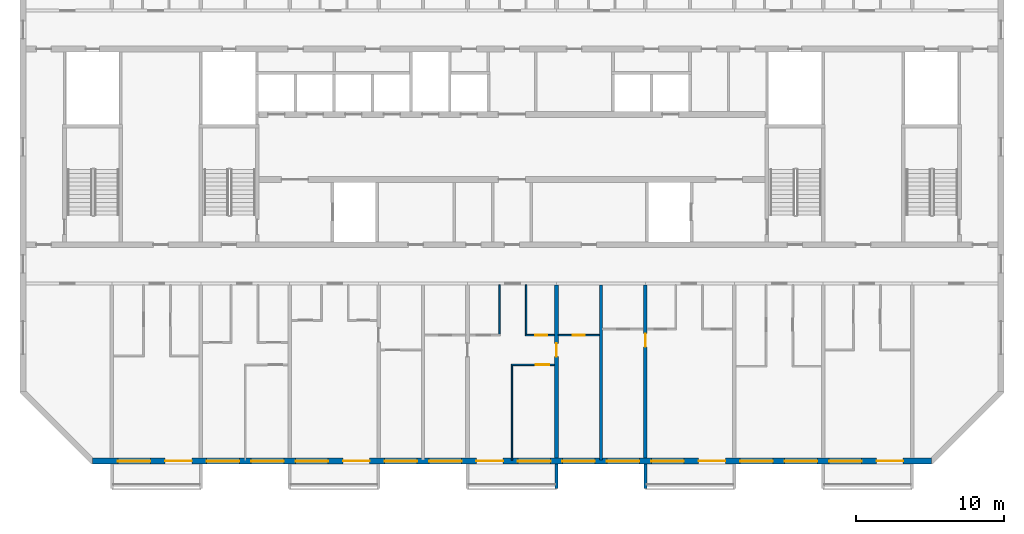
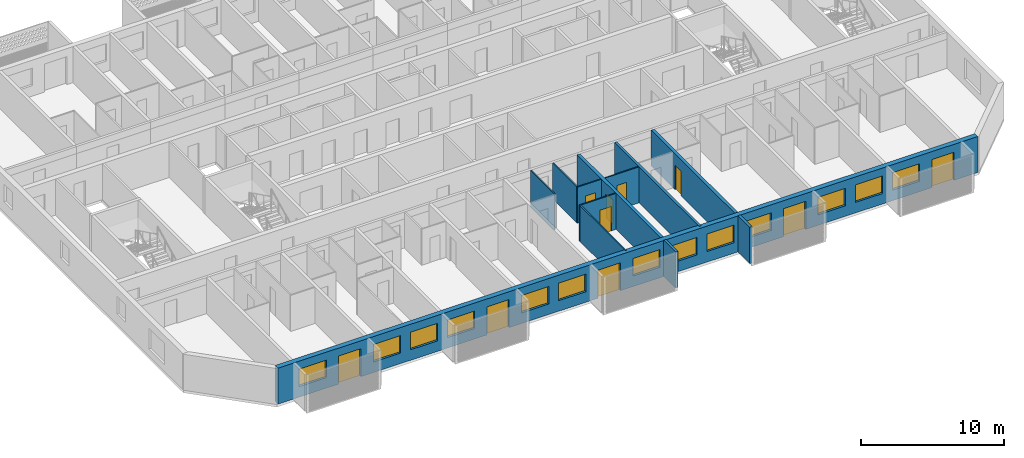
# One storey, part 4 of 26: 13 windows, 12 walls, 10 doors, 23 openings.
"""IFC4 building model written with IfcOpenShell, lengths in metres."""

from ifc_helpers import new_model, si_unit, direction, frame, frame_2d, origin, place, context, subcontext, project, spatial, polyline, rectangle, outline, extrude, source, transform, mapped, material, layer, layer_set, type_object, element, fill, save


model = new_model("IFC4")

# Units and contexts
model_context = context("Model", 3, precision=1e-05, world=origin(), true_north=direction((0.0, 1.0)))
body_context = subcontext(model_context, "Body", "Model", "MODEL_VIEW")
ifc_project = project(units=[si_unit("LENGTHUNIT", "METRE"), si_unit("AREAUNIT", "SQUARE_METRE"), si_unit("VOLUMEUNIT", "CUBIC_METRE"), si_unit("PLANEANGLEUNIT", "RADIAN"), si_unit("MASSUNIT", "GRAM", prefix="KILO")], contexts=[model_context])

# Site, building, storey
site_placement = place(None, origin())
site = spatial("IfcSite", under=ifc_project, at=site_placement, CompositionType="ELEMENT")
building_placement = place(site_placement, origin())
building = spatial("IfcBuilding", under=site, at=building_placement, Name="Poui Terraces", CompositionType="ELEMENT")
storey_placement = place(building_placement, frame((0.0, 0.0, 171.89990234375)))
storey = spatial("IfcBuildingStorey", under=building, at=storey_placement, Name="L47", CompositionType="ELEMENT", Elevation=171.89990234375)

# Wall, opening, door
ifc_material_1 = material(Name="Concrete 50 MPa", Category="concrete")
ifc_layer_1 = layer(ifc_material_1, 0.25)
ifc_layer_set_1 = layer_set([ifc_layer_1], Name="Concrete 50 MPa")
wall_type_1 = type_object("IfcWallType", Name="CROSS WALL 250 50MPa", PredefinedType="SHEAR", material=ifc_layer_set_1)
wall_1_placement = place(storey_placement, frame((54.0, 0.199951171875, 0.0), z_axis=(0.0, 0.0, 1.0), x_axis=(0.0, 1.0, 0.0)))
wall_1 = element("IfcWall", 1, at=wall_1_placement, inside=storey, type_object=wall_type_1, Name="CROSS WALL LINE 10 SOUTH", PredefinedType="SHEAR", context=body_context, shape_type="SweptSolid", body=[
    extrude(rectangle(XDim=11.699951171875, YDim=0.25, at=frame_2d((5.85009765625, 0.0))), origin(), (0.0, 0.0, 1.0), 3.080078125),
])
opening_1_placement = place(wall_1_placement, frame((6.85009765625, 0.0, 0.0)))
opening_1 = element("IfcOpeningElement", 2, at=opening_1_placement, cuts=wall_1, Name="Opening D90", PredefinedType="OPENING", context=body_context, shape_type="SweptSolid", body=[
    extrude(rectangle(XDim=0.89990234375, YDim=2.10009765625, at=frame_2d((0.449951171875, 1.050048828125))), frame((0.0, 0.135009765625, 0.0), z_axis=(0.0, -1.0, 0.0), x_axis=(1.0, 0.0, 0.0)), (0.0, 0.0, 1.0), 0.27001953125),
])
ifc_material_2 = material(Name="Solid core timber door", Category="wood")
door_type_1 = type_object("IfcDoorType", Name="INTERNAL DOOR 900 X 2100", OperationType="NOTDEFINED", PredefinedType="DOOR", material=ifc_material_2)
door_1_placement = place(opening_1_placement, frame((0.89990234375, 0.0, 0.0), z_axis=(0.0, 0.0, 1.0), x_axis=(-1.0, 0.0, 0.0)))
door_1 = element("IfcDoor", 3, at=door_1_placement, inside=storey, type_object=door_type_1, Name="INTERNAL DOOR 082", OperationType="SINGLE_SWING_LEFT", OverallHeight=2.10009765625, OverallWidth=0.89990234375, PredefinedType="DOOR", context=body_context, shape_type="SweptSolid", body=[
    extrude(rectangle(XDim=0.89990234375, YDim=2.10009765625, at=frame_2d((0.449951171875, 1.050048828125))), frame((0.0, 0.02490234375, 0.0), z_axis=(0.0, -1.0, 0.0), x_axis=(1.0, 0.0, 0.0)), (0.0, 0.0, 1.0), 0.050048828125),
])
fill(opening_1, door_1)

wall_2_placement = place(storey_placement, frame((60.0, 0.199951171875, 0.0), z_axis=(0.0, 0.0, 1.0), x_axis=(0.0, 1.0, 0.0)))
wall_2 = element("IfcWall", 4, at=wall_2_placement, inside=storey, type_object=wall_type_1, Name="CROSS WALL LINE 11 SOUTH", PredefinedType="SHEAR", context=body_context, shape_type="SweptSolid", body=[
    extrude(rectangle(XDim=11.699951171875, YDim=0.25, at=frame_2d((5.85009765625, 0.0))), origin(), (0.0, 0.0, 1.0), 3.080078125),
])
opening_2_placement = place(wall_2_placement, frame((7.5, 0.0, 0.0)))
opening_2 = element("IfcOpeningElement", 5, at=opening_2_placement, cuts=wall_2, Name="Opening D90", PredefinedType="OPENING", context=body_context, shape_type="SweptSolid", body=[
    extrude(rectangle(XDim=0.89990234375, YDim=2.10009765625, at=frame_2d((0.449951171875, 1.050048828125))), frame((0.0, 0.135009765625, 0.0), z_axis=(0.0, -1.0, 0.0), x_axis=(1.0, 0.0, 0.0)), (0.0, 0.0, 1.0), 0.27001953125),
])
door_2_placement = place(opening_2_placement, origin())
door_2 = element("IfcDoor", 6, at=door_2_placement, inside=storey, type_object=door_type_1, Name="INTERNAL DOOR 084", OperationType="SINGLE_SWING_RIGHT", OverallHeight=2.10009765625, OverallWidth=0.89990234375, PredefinedType="DOOR", context=body_context, shape_type="SweptSolid", body=[
    extrude(rectangle(XDim=0.89990234375, YDim=2.10009765625, at=frame_2d((0.449951171875, 1.050048828125))), frame((0.0, 0.02490234375, 0.0), z_axis=(0.0, -1.0, 0.0), x_axis=(1.0, 0.0, 0.0)), (0.0, 0.0, 1.0), 0.050048828125),
])
fill(opening_2, door_2)

# Wall, openings, doors, windows
ifc_material_3 = material(Name="Precast concrete 40 MPa", Category="concrete")
ifc_layer_2 = layer(ifc_material_3, 0.39990234375)
ifc_layer_set_2 = layer_set([ifc_layer_2], Name="Precast concrete 40 MPa")
wall_type_2 = type_object("IfcWallType", Name="EXTERNAL WALL 400", PredefinedType="STANDARD", material=ifc_layer_set_2)
wall_3_placement = place(storey_placement, frame((22.682861328125, 0.0, 0.0), z_axis=(0.0, 0.0, 1.0), x_axis=(1.0, 0.0, 0.0)))
wall_3 = element("IfcWall", 7, at=wall_3_placement, inside=storey, type_object=wall_type_2, Name="EXTERNAL WALL S", PredefinedType="STANDARD", context=body_context, shape_type="SweptSolid", body=[
    extrude(rectangle(XDim=56.63427734375, YDim=0.39990234375, at=frame_2d((28.317138671875, 0.0))), origin(), (0.0, 0.0, 1.0), 3.080078125),
])
opening_3_placement = place(wall_3_placement, frame((1.71728515625, 0.0, 0.89990234375)))
opening_3 = element("IfcOpeningElement", 8, at=opening_3_placement, cuts=wall_3, Name="Opening W1", PredefinedType="OPENING", context=body_context, shape_type="SweptSolid", body=[
    extrude(rectangle(XDim=2.199951171875, YDim=1.5, at=frame_2d((1.10009765625, 0.75))), frame((0.0, 0.2099609375, 0.0), z_axis=(0.0, -1.0, 0.0), x_axis=(1.0, 0.0, 0.0)), (0.0, 0.0, 1.0), 0.419921875),
])
opening_4_placement = place(wall_3_placement, frame((4.917236328125, 0.0, 0.0)))
opening_4 = element("IfcOpeningElement", 9, at=opening_4_placement, cuts=wall_3, Name="Opening BD1", PredefinedType="OPENING", context=body_context, shape_type="SweptSolid", body=[
    extrude(rectangle(XDim=1.800048828125, YDim=2.39990234375, at=frame_2d((0.89990234375, 1.199951171875))), frame((0.0, 0.2099609375, 0.0), z_axis=(0.0, -1.0, 0.0), x_axis=(1.0, 0.0, 0.0)), (0.0, 0.0, 1.0), 0.419921875),
])
opening_5_placement = place(wall_3_placement, frame((7.71728515625, 0.0, 0.89990234375)))
opening_5 = element("IfcOpeningElement", 10, at=opening_5_placement, cuts=wall_3, Name="Opening W1", PredefinedType="OPENING", context=body_context, shape_type="SweptSolid", body=[
    extrude(rectangle(XDim=2.199951171875, YDim=1.5, at=frame_2d((1.10009765625, 0.75))), frame((0.0, 0.2099609375, 0.0), z_axis=(0.0, -1.0, 0.0), x_axis=(1.0, 0.0, 0.0)), (0.0, 0.0, 1.0), 0.419921875),
])
opening_6_placement = place(wall_3_placement, frame((10.71728515625, 0.0, 0.89990234375)))
opening_6 = element("IfcOpeningElement", 11, at=opening_6_placement, cuts=wall_3, Name="Opening W1", PredefinedType="OPENING", context=body_context, shape_type="SweptSolid", body=[
    extrude(rectangle(XDim=2.199951171875, YDim=1.5, at=frame_2d((1.10009765625, 0.75))), frame((0.0, 0.2099609375, 0.0), z_axis=(0.0, -1.0, 0.0), x_axis=(1.0, 0.0, 0.0)), (0.0, 0.0, 1.0), 0.419921875),
])
opening_7_placement = place(wall_3_placement, frame((13.71728515625, 0.0, 0.89990234375)))
opening_7 = element("IfcOpeningElement", 12, at=opening_7_placement, cuts=wall_3, Name="Opening W1", PredefinedType="OPENING", context=body_context, shape_type="SweptSolid", body=[
    extrude(rectangle(XDim=2.199951171875, YDim=1.5, at=frame_2d((1.10009765625, 0.75))), frame((0.0, 0.2099609375, 0.0), z_axis=(0.0, -1.0, 0.0), x_axis=(1.0, 0.0, 0.0)), (0.0, 0.0, 1.0), 0.419921875),
])
opening_8_placement = place(wall_3_placement, frame((16.917236328125, 0.0, 0.0)))
opening_8 = element("IfcOpeningElement", 13, at=opening_8_placement, cuts=wall_3, Name="Opening BD1", PredefinedType="OPENING", context=body_context, shape_type="SweptSolid", body=[
    extrude(rectangle(XDim=1.800048828125, YDim=2.39990234375, at=frame_2d((0.89990234375, 1.199951171875))), frame((0.0, 0.2099609375, 0.0), z_axis=(0.0, -1.0, 0.0), x_axis=(1.0, 0.0, 0.0)), (0.0, 0.0, 1.0), 0.419921875),
])
opening_9_placement = place(wall_3_placement, frame((19.71728515625, 0.0, 0.89990234375)))
opening_9 = element("IfcOpeningElement", 14, at=opening_9_placement, cuts=wall_3, Name="Opening W1", PredefinedType="OPENING", context=body_context, shape_type="SweptSolid", body=[
    extrude(rectangle(XDim=2.199951171875, YDim=1.5, at=frame_2d((1.10009765625, 0.75))), frame((0.0, 0.2099609375, 0.0), z_axis=(0.0, -1.0, 0.0), x_axis=(1.0, 0.0, 0.0)), (0.0, 0.0, 1.0), 0.419921875),
])
opening_10_placement = place(wall_3_placement, frame((22.71728515625, 0.0, 0.89990234375)))
opening_10 = element("IfcOpeningElement", 15, at=opening_10_placement, cuts=wall_3, Name="Opening W1", PredefinedType="OPENING", context=body_context, shape_type="SweptSolid", body=[
    extrude(rectangle(XDim=2.199951171875, YDim=1.5, at=frame_2d((1.10009765625, 0.75))), frame((0.0, 0.2099609375, 0.0), z_axis=(0.0, -1.0, 0.0), x_axis=(1.0, 0.0, 0.0)), (0.0, 0.0, 1.0), 0.419921875),
])
opening_11_placement = place(wall_3_placement, frame((25.917236328125, 0.0, 0.0)))
opening_11 = element("IfcOpeningElement", 16, at=opening_11_placement, cuts=wall_3, Name="Opening BD1", PredefinedType="OPENING", context=body_context, shape_type="SweptSolid", body=[
    extrude(rectangle(XDim=1.800048828125, YDim=2.39990234375, at=frame_2d((0.89990234375, 1.199951171875))), frame((0.0, 0.2099609375, 0.0), z_axis=(0.0, -1.0, 0.0), x_axis=(1.0, 0.0, 0.0)), (0.0, 0.0, 1.0), 0.419921875),
])
opening_12_placement = place(wall_3_placement, frame((28.71728515625, 0.0, 0.89990234375)))
opening_12 = element("IfcOpeningElement", 17, at=opening_12_placement, cuts=wall_3, Name="Opening W1", PredefinedType="OPENING", context=body_context, shape_type="SweptSolid", body=[
    extrude(rectangle(XDim=2.199951171875, YDim=1.5, at=frame_2d((1.10009765625, 0.75))), frame((0.0, 0.2099609375, 0.0), z_axis=(0.0, -1.0, 0.0), x_axis=(1.0, 0.0, 0.0)), (0.0, 0.0, 1.0), 0.419921875),
])
opening_13_placement = place(wall_3_placement, frame((31.71728515625, 0.0, 0.89990234375)))
opening_13 = element("IfcOpeningElement", 18, at=opening_13_placement, cuts=wall_3, Name="Opening W1", PredefinedType="OPENING", context=body_context, shape_type="SweptSolid", body=[
    extrude(rectangle(XDim=2.199951171875, YDim=1.5, at=frame_2d((1.10009765625, 0.75))), frame((0.0, 0.2099609375, 0.0), z_axis=(0.0, -1.0, 0.0), x_axis=(1.0, 0.0, 0.0)), (0.0, 0.0, 1.0), 0.419921875),
])
opening_14_placement = place(wall_3_placement, frame((34.71728515625, 0.0, 0.89990234375)))
opening_14 = element("IfcOpeningElement", 19, at=opening_14_placement, cuts=wall_3, Name="Opening W1", PredefinedType="OPENING", context=body_context, shape_type="SweptSolid", body=[
    extrude(rectangle(XDim=2.199951171875, YDim=1.5, at=frame_2d((1.10009765625, 0.75))), frame((0.0, 0.2099609375, 0.0), z_axis=(0.0, -1.0, 0.0), x_axis=(1.0, 0.0, 0.0)), (0.0, 0.0, 1.0), 0.419921875),
])
opening_15_placement = place(wall_3_placement, frame((37.71728515625, 0.0, 0.89990234375)))
opening_15 = element("IfcOpeningElement", 20, at=opening_15_placement, cuts=wall_3, Name="Opening W1", PredefinedType="OPENING", context=body_context, shape_type="SweptSolid", body=[
    extrude(rectangle(XDim=2.199951171875, YDim=1.5, at=frame_2d((1.10009765625, 0.75))), frame((0.0, 0.2099609375, 0.0), z_axis=(0.0, -1.0, 0.0), x_axis=(1.0, 0.0, 0.0)), (0.0, 0.0, 1.0), 0.419921875),
])
opening_16_placement = place(wall_3_placement, frame((40.917236328125, 0.0, 0.0)))
opening_16 = element("IfcOpeningElement", 21, at=opening_16_placement, cuts=wall_3, Name="Opening BD1", PredefinedType="OPENING", context=body_context, shape_type="SweptSolid", body=[
    extrude(rectangle(XDim=1.800048828125, YDim=2.39990234375, at=frame_2d((0.89990234375, 1.199951171875))), frame((0.0, 0.2099609375, 0.0), z_axis=(0.0, -1.0, 0.0), x_axis=(1.0, 0.0, 0.0)), (0.0, 0.0, 1.0), 0.419921875),
])
opening_17_placement = place(wall_3_placement, frame((43.71728515625, 0.0, 0.89990234375)))
opening_17 = element("IfcOpeningElement", 22, at=opening_17_placement, cuts=wall_3, Name="Opening W1", PredefinedType="OPENING", context=body_context, shape_type="SweptSolid", body=[
    extrude(rectangle(XDim=2.199951171875, YDim=1.5, at=frame_2d((1.10009765625, 0.75))), frame((0.0, 0.2099609375, 0.0), z_axis=(0.0, -1.0, 0.0), x_axis=(1.0, 0.0, 0.0)), (0.0, 0.0, 1.0), 0.419921875),
])
opening_18_placement = place(wall_3_placement, frame((46.71728515625, 0.0, 0.89990234375)))
opening_18 = element("IfcOpeningElement", 23, at=opening_18_placement, cuts=wall_3, Name="Opening W1", PredefinedType="OPENING", context=body_context, shape_type="SweptSolid", body=[
    extrude(rectangle(XDim=2.199951171875, YDim=1.5, at=frame_2d((1.10009765625, 0.75))), frame((0.0, 0.2099609375, 0.0), z_axis=(0.0, -1.0, 0.0), x_axis=(1.0, 0.0, 0.0)), (0.0, 0.0, 1.0), 0.419921875),
])
opening_19_placement = place(wall_3_placement, frame((49.71728515625, 0.0, 0.89990234375)))
opening_19 = element("IfcOpeningElement", 24, at=opening_19_placement, cuts=wall_3, Name="Opening W1", PredefinedType="OPENING", context=body_context, shape_type="SweptSolid", body=[
    extrude(rectangle(XDim=2.199951171875, YDim=1.5, at=frame_2d((1.10009765625, 0.75))), frame((0.0, 0.2099609375, 0.0), z_axis=(0.0, -1.0, 0.0), x_axis=(1.0, 0.0, 0.0)), (0.0, 0.0, 1.0), 0.419921875),
])
opening_20_placement = place(wall_3_placement, frame((52.917236328125, 0.0, 0.0)))
opening_20 = element("IfcOpeningElement", 25, at=opening_20_placement, cuts=wall_3, Name="Opening BD1", PredefinedType="OPENING", context=body_context, shape_type="SweptSolid", body=[
    extrude(rectangle(XDim=1.800048828125, YDim=2.39990234375, at=frame_2d((0.89990234375, 1.199951171875))), frame((0.0, 0.2099609375, 0.0), z_axis=(0.0, -1.0, 0.0), x_axis=(1.0, 0.0, 0.0)), (0.0, 0.0, 1.0), 0.419921875),
])
ifc_material_4 = material(Name="Clear glass in aluminium frame", Category="aluminium")
door_type_2 = type_object("IfcDoorType", Name="BALCONY DOOR 1800X2400", OperationType="DOUBLE_DOOR_SLIDING", PredefinedType="DOOR", material=ifc_material_4)
door_3_placement = place(opening_4_placement, origin())
door_3 = element("IfcDoor", 26, at=door_3_placement, inside=storey, type_object=door_type_2, Name="BD1 BALCONY DOOR", OperationType="DOUBLE_DOOR_SLIDING", OverallHeight=2.39990234375, OverallWidth=1.800048828125, PredefinedType="DOOR", context=body_context, shape_type="SweptSolid", body=[
    extrude(rectangle(XDim=1.800048828125, YDim=2.39990234375, at=frame_2d((0.89990234375, 1.199951171875))), frame((0.0, 0.02490234375, 0.0), z_axis=(0.0, -1.0, 0.0), x_axis=(1.0, 0.0, 0.0)), (0.0, 0.0, 1.0), 0.050048828125),
])
fill(opening_4, door_3)
door_4_placement = place(opening_8_placement, origin())
door_4 = element("IfcDoor", 27, at=door_4_placement, inside=storey, type_object=door_type_2, Name="BD1 BALCONY DOOR", OperationType="DOUBLE_DOOR_SLIDING", OverallHeight=2.39990234375, OverallWidth=1.800048828125, PredefinedType="DOOR", context=body_context, shape_type="SweptSolid", body=[
    extrude(rectangle(XDim=1.800048828125, YDim=2.39990234375, at=frame_2d((0.89990234375, 1.199951171875))), frame((0.0, 0.02490234375, 0.0), z_axis=(0.0, -1.0, 0.0), x_axis=(1.0, 0.0, 0.0)), (0.0, 0.0, 1.0), 0.050048828125),
])
fill(opening_8, door_4)
door_5_placement = place(opening_11_placement, origin())
door_5 = element("IfcDoor", 28, at=door_5_placement, inside=storey, type_object=door_type_2, Name="BD1 BALCONY DOOR", OperationType="DOUBLE_DOOR_SLIDING", OverallHeight=2.39990234375, OverallWidth=1.800048828125, PredefinedType="DOOR", context=body_context, shape_type="SweptSolid", body=[
    extrude(rectangle(XDim=1.800048828125, YDim=2.39990234375, at=frame_2d((0.89990234375, 1.199951171875))), frame((0.0, 0.02490234375, 0.0), z_axis=(0.0, -1.0, 0.0), x_axis=(1.0, 0.0, 0.0)), (0.0, 0.0, 1.0), 0.050048828125),
])
fill(opening_11, door_5)
door_6_placement = place(opening_16_placement, origin())
door_6 = element("IfcDoor", 29, at=door_6_placement, inside=storey, type_object=door_type_2, Name="BD1 BALCONY DOOR", OperationType="DOUBLE_DOOR_SLIDING", OverallHeight=2.39990234375, OverallWidth=1.800048828125, PredefinedType="DOOR", context=body_context, shape_type="SweptSolid", body=[
    extrude(rectangle(XDim=1.800048828125, YDim=2.39990234375, at=frame_2d((0.89990234375, 1.199951171875))), frame((0.0, 0.02490234375, 0.0), z_axis=(0.0, -1.0, 0.0), x_axis=(1.0, 0.0, 0.0)), (0.0, 0.0, 1.0), 0.050048828125),
])
fill(opening_16, door_6)
door_7_placement = place(opening_20_placement, origin())
door_7 = element("IfcDoor", 30, at=door_7_placement, inside=storey, type_object=door_type_2, Name="BD1 BALCONY DOOR", OperationType="DOUBLE_DOOR_SLIDING", OverallHeight=2.39990234375, OverallWidth=1.800048828125, PredefinedType="DOOR", context=body_context, shape_type="SweptSolid", body=[
    extrude(rectangle(XDim=1.800048828125, YDim=2.39990234375, at=frame_2d((0.89990234375, 1.199951171875))), frame((0.0, 0.02490234375, 0.0), z_axis=(0.0, -1.0, 0.0), x_axis=(1.0, 0.0, 0.0)), (0.0, 0.0, 1.0), 0.050048828125),
])
fill(opening_20, door_7)
window_type = type_object("IfcWindowType", Name="WINDOW 2200X1500", PartitioningType="DOUBLE_PANEL_HORIZONTAL", PredefinedType="WINDOW", material=ifc_material_4)
window_1_placement = place(opening_3_placement, origin())
window_1 = element("IfcWindow", 31, at=window_1_placement, inside=storey, type_object=window_type, Name="W1 WINDOW", OverallHeight=1.5, OverallWidth=2.199951171875, PartitioningType="DOUBLE_PANEL_HORIZONTAL", PredefinedType="WINDOW", context=body_context, shape_type="SweptSolid", body=[
    extrude(rectangle(XDim=2.199951171875, YDim=1.5, at=frame_2d((1.10009765625, 0.75))), frame((0.0, 0.030029296875, 0.0), z_axis=(0.0, -1.0, 0.0), x_axis=(1.0, 0.0, 0.0)), (0.0, 0.0, 1.0), 0.06005859375),
])
fill(opening_3, window_1)
window_2_placement = place(opening_5_placement, origin())
window_2 = element("IfcWindow", 32, at=window_2_placement, inside=storey, type_object=window_type, Name="W1 WINDOW", OverallHeight=1.5, OverallWidth=2.199951171875, PartitioningType="DOUBLE_PANEL_HORIZONTAL", PredefinedType="WINDOW", context=body_context, shape_type="SweptSolid", body=[
    extrude(rectangle(XDim=2.199951171875, YDim=1.5, at=frame_2d((1.10009765625, 0.75))), frame((0.0, 0.030029296875, 0.0), z_axis=(0.0, -1.0, 0.0), x_axis=(1.0, 0.0, 0.0)), (0.0, 0.0, 1.0), 0.06005859375),
])
fill(opening_5, window_2)
window_3_placement = place(opening_6_placement, origin())
window_3 = element("IfcWindow", 33, at=window_3_placement, inside=storey, type_object=window_type, Name="W1 WINDOW", OverallHeight=1.5, OverallWidth=2.199951171875, PartitioningType="DOUBLE_PANEL_HORIZONTAL", PredefinedType="WINDOW", context=body_context, shape_type="SweptSolid", body=[
    extrude(rectangle(XDim=2.199951171875, YDim=1.5, at=frame_2d((1.10009765625, 0.75))), frame((0.0, 0.030029296875, 0.0), z_axis=(0.0, -1.0, 0.0), x_axis=(1.0, 0.0, 0.0)), (0.0, 0.0, 1.0), 0.06005859375),
])
fill(opening_6, window_3)
window_4_placement = place(opening_7_placement, origin())
window_4 = element("IfcWindow", 34, at=window_4_placement, inside=storey, type_object=window_type, Name="W1 WINDOW", OverallHeight=1.5, OverallWidth=2.199951171875, PartitioningType="DOUBLE_PANEL_HORIZONTAL", PredefinedType="WINDOW", context=body_context, shape_type="SweptSolid", body=[
    extrude(rectangle(XDim=2.199951171875, YDim=1.5, at=frame_2d((1.10009765625, 0.75))), frame((0.0, 0.030029296875, 0.0), z_axis=(0.0, -1.0, 0.0), x_axis=(1.0, 0.0, 0.0)), (0.0, 0.0, 1.0), 0.06005859375),
])
fill(opening_7, window_4)
window_5_placement = place(opening_9_placement, origin())
window_5 = element("IfcWindow", 35, at=window_5_placement, inside=storey, type_object=window_type, Name="W1 WINDOW", OverallHeight=1.5, OverallWidth=2.199951171875, PartitioningType="DOUBLE_PANEL_HORIZONTAL", PredefinedType="WINDOW", context=body_context, shape_type="SweptSolid", body=[
    extrude(rectangle(XDim=2.199951171875, YDim=1.5, at=frame_2d((1.10009765625, 0.75))), frame((0.0, 0.030029296875, 0.0), z_axis=(0.0, -1.0, 0.0), x_axis=(1.0, 0.0, 0.0)), (0.0, 0.0, 1.0), 0.06005859375),
])
fill(opening_9, window_5)
window_6_placement = place(opening_10_placement, origin())
window_6 = element("IfcWindow", 36, at=window_6_placement, inside=storey, type_object=window_type, Name="W1 WINDOW", OverallHeight=1.5, OverallWidth=2.199951171875, PartitioningType="DOUBLE_PANEL_HORIZONTAL", PredefinedType="WINDOW", context=body_context, shape_type="SweptSolid", body=[
    extrude(rectangle(XDim=2.199951171875, YDim=1.5, at=frame_2d((1.10009765625, 0.75))), frame((0.0, 0.030029296875, 0.0), z_axis=(0.0, -1.0, 0.0), x_axis=(1.0, 0.0, 0.0)), (0.0, 0.0, 1.0), 0.06005859375),
])
fill(opening_10, window_6)
window_7_placement = place(opening_12_placement, origin())
window_7 = element("IfcWindow", 37, at=window_7_placement, inside=storey, type_object=window_type, Name="W1 WINDOW", OverallHeight=1.5, OverallWidth=2.199951171875, PartitioningType="DOUBLE_PANEL_HORIZONTAL", PredefinedType="WINDOW", context=body_context, shape_type="SweptSolid", body=[
    extrude(rectangle(XDim=2.199951171875, YDim=1.5, at=frame_2d((1.10009765625, 0.75))), frame((0.0, 0.030029296875, 0.0), z_axis=(0.0, -1.0, 0.0), x_axis=(1.0, 0.0, 0.0)), (0.0, 0.0, 1.0), 0.06005859375),
])
fill(opening_12, window_7)
window_8_placement = place(opening_13_placement, origin())
window_8 = element("IfcWindow", 38, at=window_8_placement, inside=storey, type_object=window_type, Name="W1 WINDOW", OverallHeight=1.5, OverallWidth=2.199951171875, PartitioningType="DOUBLE_PANEL_HORIZONTAL", PredefinedType="WINDOW", context=body_context, shape_type="SweptSolid", body=[
    extrude(rectangle(XDim=2.199951171875, YDim=1.5, at=frame_2d((1.10009765625, 0.75))), frame((0.0, 0.030029296875, 0.0), z_axis=(0.0, -1.0, 0.0), x_axis=(1.0, 0.0, 0.0)), (0.0, 0.0, 1.0), 0.06005859375),
])
fill(opening_13, window_8)
window_9_placement = place(opening_14_placement, origin())
window_9 = element("IfcWindow", 39, at=window_9_placement, inside=storey, type_object=window_type, Name="W1 WINDOW", OverallHeight=1.5, OverallWidth=2.199951171875, PartitioningType="DOUBLE_PANEL_HORIZONTAL", PredefinedType="WINDOW", context=body_context, shape_type="SweptSolid", body=[
    extrude(rectangle(XDim=2.199951171875, YDim=1.5, at=frame_2d((1.10009765625, 0.75))), frame((0.0, 0.030029296875, 0.0), z_axis=(0.0, -1.0, 0.0), x_axis=(1.0, 0.0, 0.0)), (0.0, 0.0, 1.0), 0.06005859375),
])
fill(opening_14, window_9)
window_10_placement = place(opening_15_placement, origin())
window_10 = element("IfcWindow", 40, at=window_10_placement, inside=storey, type_object=window_type, Name="W1 WINDOW", OverallHeight=1.5, OverallWidth=2.199951171875, PartitioningType="DOUBLE_PANEL_HORIZONTAL", PredefinedType="WINDOW", context=body_context, shape_type="SweptSolid", body=[
    extrude(rectangle(XDim=2.199951171875, YDim=1.5, at=frame_2d((1.10009765625, 0.75))), frame((0.0, 0.030029296875, 0.0), z_axis=(0.0, -1.0, 0.0), x_axis=(1.0, 0.0, 0.0)), (0.0, 0.0, 1.0), 0.06005859375),
])
fill(opening_15, window_10)
window_11_placement = place(opening_17_placement, origin())
window_11 = element("IfcWindow", 41, at=window_11_placement, inside=storey, type_object=window_type, Name="W1 WINDOW", OverallHeight=1.5, OverallWidth=2.199951171875, PartitioningType="DOUBLE_PANEL_HORIZONTAL", PredefinedType="WINDOW", context=body_context, shape_type="SweptSolid", body=[
    extrude(rectangle(XDim=2.199951171875, YDim=1.5, at=frame_2d((1.10009765625, 0.75))), frame((0.0, 0.030029296875, 0.0), z_axis=(0.0, -1.0, 0.0), x_axis=(1.0, 0.0, 0.0)), (0.0, 0.0, 1.0), 0.06005859375),
])
fill(opening_17, window_11)
window_12_placement = place(opening_18_placement, origin())
window_12 = element("IfcWindow", 42, at=window_12_placement, inside=storey, type_object=window_type, Name="W1 WINDOW", OverallHeight=1.5, OverallWidth=2.199951171875, PartitioningType="DOUBLE_PANEL_HORIZONTAL", PredefinedType="WINDOW", context=body_context, shape_type="SweptSolid", body=[
    extrude(rectangle(XDim=2.199951171875, YDim=1.5, at=frame_2d((1.10009765625, 0.75))), frame((0.0, 0.030029296875, 0.0), z_axis=(0.0, -1.0, 0.0), x_axis=(1.0, 0.0, 0.0)), (0.0, 0.0, 1.0), 0.06005859375),
])
fill(opening_18, window_12)
window_13_placement = place(opening_19_placement, origin())
window_13 = element("IfcWindow", 43, at=window_13_placement, inside=storey, type_object=window_type, Name="W1 WINDOW", OverallHeight=1.5, OverallWidth=2.199951171875, PartitioningType="DOUBLE_PANEL_HORIZONTAL", PredefinedType="WINDOW", context=body_context, shape_type="SweptSolid", body=[
    extrude(rectangle(XDim=2.199951171875, YDim=1.5, at=frame_2d((1.10009765625, 0.75))), frame((0.0, 0.030029296875, 0.0), z_axis=(0.0, -1.0, 0.0), x_axis=(1.0, 0.0, 0.0)), (0.0, 0.0, 1.0), 0.06005859375),
])
fill(opening_19, window_13)

# Wall, opening, door
ifc_material_5 = material(Name="Plasterboard partition")
ifc_layer_3 = layer(ifc_material_5, 0.10009765625)
ifc_layer_set_3 = layer_set([ifc_layer_3], Name="Plasterboard partition")
wall_type_3 = type_object("IfcWallType", Name="FLAT PARTITION 100", PredefinedType="PARTITIONING", material=ifc_layer_set_3)
wall_4_placement = place(storey_placement, frame((50.949951171875, 6.5, 0.0), z_axis=(0.0, 0.0, 1.0), x_axis=(1.0, 0.0, 0.0)))
wall_4 = element("IfcWall", 44, at=wall_4_placement, inside=storey, type_object=wall_type_3, Name="FLAT PARTITION 100", PredefinedType="PARTITIONING", context=body_context, shape_type="SweptSolid", body=[
    extrude(rectangle(XDim=2.9150390625, YDim=0.10009765625, at=frame_2d((1.45751953125, 0.0))), origin(), (0.0, 0.0, 1.0), 3.080078125),
])
opening_21_placement = place(wall_4_placement, frame((1.64990234375, 0.0, 0.0)))
opening_21 = element("IfcOpeningElement", 45, at=opening_21_placement, cuts=wall_4, Name="Opening D90", PredefinedType="OPENING", context=body_context, shape_type="SweptSolid", body=[
    extrude(rectangle(XDim=0.89990234375, YDim=2.10009765625, at=frame_2d((0.449951171875, 1.050048828125))), frame((0.0, 0.06005859375, 0.0), z_axis=(0.0, -1.0, 0.0), x_axis=(1.0, 0.0, 0.0)), (0.0, 0.0, 1.0), 0.1201171875),
])
door_8_placement = place(opening_21_placement, origin())
door_8 = element("IfcDoor", 46, at=door_8_placement, inside=storey, type_object=door_type_1, Name="INTERNAL DOOR 081", OperationType="SINGLE_SWING_LEFT", OverallHeight=2.10009765625, OverallWidth=0.89990234375, PredefinedType="DOOR", context=body_context, shape_type="SweptSolid", body=[
    extrude(rectangle(XDim=0.89990234375, YDim=2.10009765625, at=frame_2d((0.449951171875, 1.050048828125))), frame((0.0, 0.02490234375, 0.0), z_axis=(0.0, -1.0, 0.0), x_axis=(1.0, 0.0, 0.0)), (0.0, 0.0, 1.0), 0.050048828125),
])
fill(opening_21, door_8)

wall_5_placement = place(storey_placement, frame((51.89990234375, 8.5, 0.0), z_axis=(0.0, 0.0, 1.0), x_axis=(1.0, 0.0, 0.0)))
wall_5 = element("IfcWall", 47, at=wall_5_placement, inside=storey, type_object=wall_type_3, Name="FLAT PARTITION 100", PredefinedType="PARTITIONING", context=body_context, shape_type="SweptSolid", body=[
    extrude(rectangle(XDim=1.965087890625, YDim=0.10009765625, at=frame_2d((0.982421875, 0.0))), origin(), (0.0, 0.0, 1.0), 3.080078125),
])
opening_22_placement = place(wall_5_placement, frame((0.675048828125, 0.0, 0.0)))
opening_22 = element("IfcOpeningElement", 48, at=opening_22_placement, cuts=wall_5, Name="Opening D80", PredefinedType="OPENING", context=body_context, shape_type="SweptSolid", body=[
    extrude(rectangle(XDim=0.800048828125, YDim=2.10009765625, at=frame_2d((0.39990234375, 1.050048828125))), frame((0.0, 0.06005859375, 0.0), z_axis=(0.0, -1.0, 0.0), x_axis=(1.0, 0.0, 0.0)), (0.0, 0.0, 1.0), 0.1201171875),
])
door_type_3 = type_object("IfcDoorType", Name="BATHROOM, LAUNDRY AND STORE DOOR 800 X 2100", OperationType="NOTDEFINED", PredefinedType="DOOR", material=ifc_material_2)
door_9_placement = place(opening_22_placement, origin())
door_9 = element("IfcDoor", 49, at=door_9_placement, inside=storey, type_object=door_type_3, Name="BATHROOM, LAUNDRY AND STORE DOOR 080", OperationType="SINGLE_SWING_RIGHT", OverallHeight=2.10009765625, OverallWidth=0.800048828125, PredefinedType="DOOR", context=body_context, shape_type="SweptSolid", body=[
    extrude(rectangle(XDim=0.800048828125, YDim=2.10009765625, at=frame_2d((0.39990234375, 1.050048828125))), frame((0.0, 0.02490234375, 0.0), z_axis=(0.0, -1.0, 0.0), x_axis=(1.0, 0.0, 0.0)), (0.0, 0.0, 1.0), 0.050048828125),
])
fill(opening_22, door_9)

wall_6_placement = place(storey_placement, frame((54.135009765625, 8.5, 0.0), z_axis=(0.0, 0.0, 1.0), x_axis=(1.0, 0.0, 0.0)))
wall_6 = element("IfcWall", 50, at=wall_6_placement, inside=storey, type_object=wall_type_3, Name="FLAT PARTITION 100", PredefinedType="PARTITIONING", context=body_context, shape_type="SweptSolid", body=[
    extrude(rectangle(XDim=2.764892578125, YDim=0.10009765625, at=frame_2d((1.38232421875, 0.0))), origin(), (0.0, 0.0, 1.0), 3.080078125),
])
opening_23_placement = place(wall_6_placement, frame((0.965087890625, 0.0, 0.0)))
opening_23 = element("IfcOpeningElement", 51, at=opening_23_placement, cuts=wall_6, Name="Opening D80", PredefinedType="OPENING", context=body_context, shape_type="SweptSolid", body=[
    extrude(rectangle(XDim=0.800048828125, YDim=2.10009765625, at=frame_2d((0.39990234375, 1.050048828125))), frame((0.0, 0.06005859375, 0.0), z_axis=(0.0, -1.0, 0.0), x_axis=(1.0, 0.0, 0.0)), (0.0, 0.0, 1.0), 0.1201171875),
])
door_10_placement = place(opening_23_placement, origin())
door_10 = element("IfcDoor", 52, at=door_10_placement, inside=storey, type_object=door_type_3, Name="BATHROOM, LAUNDRY AND STORE DOOR 076", OperationType="SINGLE_SWING_LEFT", OverallHeight=2.10009765625, OverallWidth=0.800048828125, PredefinedType="DOOR", context=body_context, shape_type="SweptSolid", body=[
    extrude(rectangle(XDim=0.800048828125, YDim=2.10009765625, at=frame_2d((0.39990234375, 1.050048828125))), frame((0.0, 0.02490234375, 0.0), z_axis=(0.0, -1.0, 0.0), x_axis=(1.0, 0.0, 0.0)), (0.0, 0.0, 1.0), 0.050048828125),
])
fill(opening_23, door_10)

# Walls
wall_7_placement = place(storey_placement, frame((50.14990234375, 8.550048828125, 0.0), z_axis=(0.0, 0.0, 1.0), x_axis=(0.0, 1.0, 0.0)))
element("IfcWall", 53, at=wall_7_placement, inside=storey, type_object=wall_type_3, Name="FLAT PARTITION 100", PredefinedType="PARTITIONING", context=body_context, shape_type="SweptSolid", body=[
    extrude(rectangle(XDim=3.33984375, YDim=0.10009765625, at=frame_2d((1.669921875, 0.0))), origin(), (0.0, 0.0, 1.0), 3.080078125),
])
wall_8_placement = place(storey_placement, frame((51.0, 0.06005859375, 0.0), z_axis=(0.0, 0.0, 1.0), x_axis=(0.0, 1.0, 0.0)))
element("IfcWall", 54, at=wall_8_placement, inside=storey, type_object=wall_type_3, Name="FLAT PARTITION 100", PredefinedType="PARTITIONING", context=body_context, shape_type="SweptSolid", body=[
    extrude(rectangle(XDim=6.389892578125, YDim=0.10009765625, at=frame_2d((3.19482421875, 0.0))), origin(), (0.0, 0.0, 1.0), 3.080078125),
])
wall_9_placement = place(storey_placement, frame((51.949951171875, 8.550048828125, 0.0), z_axis=(0.0, 0.0, 1.0), x_axis=(0.0, 1.0, 0.0)))
element("IfcWall", 55, at=wall_9_placement, inside=storey, type_object=wall_type_3, Name="FLAT PARTITION 100", PredefinedType="PARTITIONING", context=body_context, shape_type="SweptSolid", body=[
    extrude(rectangle(XDim=3.33984375, YDim=0.10009765625, at=frame_2d((1.669921875, 0.0))), origin(), (0.0, 0.0, 1.0), 3.080078125),
])
ifc_material_6 = material(Name="Fire-rated masonry wall", Category="masonry")
ifc_layer_4 = layer(ifc_material_6, 0.199951171875)
ifc_layer_set_4 = layer_set([ifc_layer_4], Name="Fire-rated masonry wall")
wall_type_4 = type_object("IfcWallType", Name="FLAT PARTY WALL 200", PredefinedType="PARTITIONING", material=ifc_layer_set_4)
wall_10_placement = place(storey_placement, frame((57.0, 0.06005859375, 0.0), z_axis=(0.0, 0.0, 1.0), x_axis=(0.0, 1.0, 0.0)))
element("IfcWall", 56, at=wall_10_placement, inside=storey, type_object=wall_type_4, Name="FLAT PARTY WALL 200", PredefinedType="PARTITIONING", context=body_context, shape_type="SweptSolid", body=[
    extrude(rectangle(XDim=11.829833984375, YDim=0.199951171875, at=frame_2d((5.9150390625, 0.0))), origin(), (0.0, 0.0, 1.0), 3.080078125),
])
ifc_layer_5 = layer(ifc_material_3, 0.199951171875)
ifc_layer_set_5 = layer_set([ifc_layer_5], Name="Precast concrete 40 MPa")
wall_type_5 = type_object("IfcWallType", Name="REAR FIN 200", PredefinedType="STANDARD", material=ifc_layer_set_5)
shared_shape = source(origin(), body_context, "Body", "SweptSolid", [
    extrude(outline(polyline([(0.0, 0.0), (0.2001953125, 0.0), (0.2001953125, 1.650146484375), (0.0, 1.650146484375), (0.0, 0.0)])), origin(), (0.0, 0.0, 1.0), 3.10009765625),
])
for number, where, name in (
    (57, (53.89990234375, -1.85009765625, 0.0), "REAR FIN"),
    (58, (59.89990234375, -1.85009765625, 0.0), "REAR FIN"),
):
    element("IfcWall", number, at=place(storey_placement, frame(where)), inside=storey, type_object=wall_type_5, Name=name, PredefinedType="STANDARD", context=body_context, shape_type="MappedRepresentation", body=[
        mapped(shared_shape, transform((0.0, 0.0, 0.0))),
    ])

save(model, "model.ifc")
